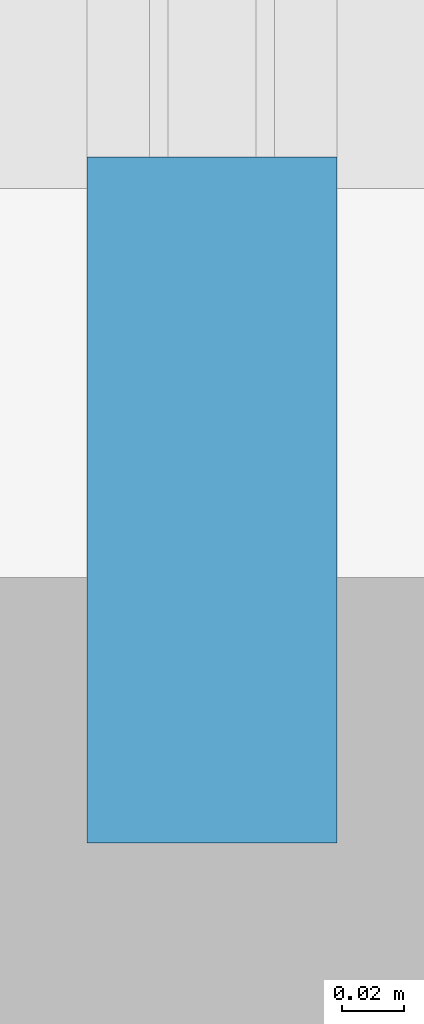
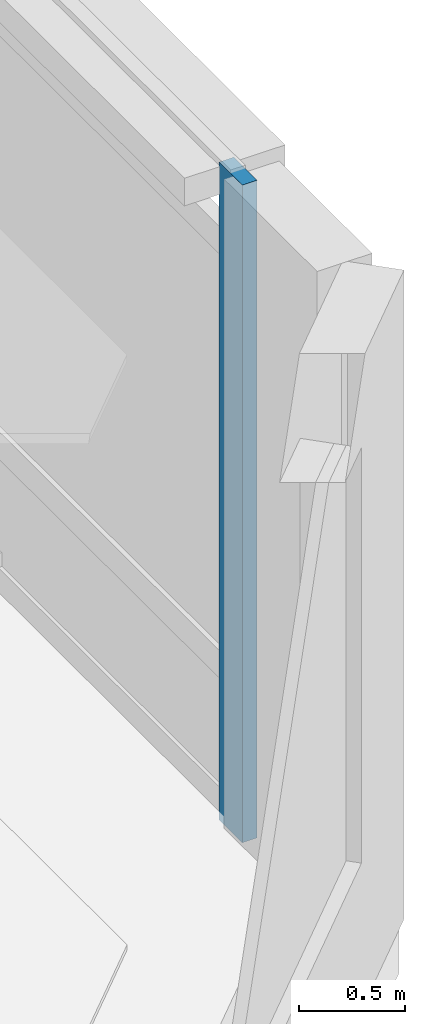
# One storey, part 3 of 12: 1 member, 1 element without a shape of its own.
"""IFC4 building model written with IfcOpenShell, lengths in metres."""

from ifc_helpers import new_model, si_unit, direction, frame, origin, origin_2d, place, context, subcontext, project, spatial, rectangle, extrude, source, transform, mapped, material, material_profile, profile_set, type_object, element, aggregate, save


model = new_model("IFC4")

# Units and contexts
model_context = context("Model", 3, precision=1e-05, world=origin(), true_north=direction((0.0, 1.0)))
body_context = subcontext(model_context, "Body", "Model", "MODEL_VIEW")
ifc_project = project(units=[si_unit("LENGTHUNIT", "METRE"), si_unit("AREAUNIT", "SQUARE_METRE"), si_unit("VOLUMEUNIT", "CUBIC_METRE"), si_unit("PLANEANGLEUNIT", "RADIAN"), si_unit("MASSUNIT", "GRAM", prefix="KILO")], contexts=[model_context])

# Site, building, storey
site_placement = place(None, origin())
site = spatial("IfcSite", under=ifc_project, at=site_placement, CompositionType="ELEMENT")
building_placement = place(site_placement, origin())
building = spatial("IfcBuilding", under=site, at=building_placement, Name="Calvemar Wedge Station Tower", CompositionType="ELEMENT")
storey_placement = place(building_placement, frame((0.0, 0.0, 39.0)))
storey = spatial("IfcBuildingStorey", under=building, at=storey_placement, Name="L09", CompositionType="ELEMENT", Elevation=39.0)

# Curtain wall, member
ifc_material = material(Name="Anodised aluminium 6063-T6", Category="aluminium")
curtain_wall_type = type_object("IfcCurtainWallType", Name="CW1", PredefinedType="NOTDEFINED", material=ifc_material)
curtain_wall_placement = place(storey_placement, origin())
curtain_wall = element("IfcCurtainWall", 1, at=curtain_wall_placement, inside=storey, type_object=curtain_wall_type, Name="Storey L09 CW1 Recessed Unitised Curtain Wall 8", PredefinedType="NOTDEFINED")
ifc_material_profile = material_profile(ifc_material, rectangle(XDim=0.080078125, YDim=0.219970703125, at=origin_2d()), Name="AL-MUL-80x220")
ifc_profile_set = profile_set([ifc_material_profile], Name="Anodised aluminium 6063-T6")
member_type = type_object("IfcMemberType", Name="CW1-MUL", PredefinedType="MULLION", material=ifc_profile_set)
shared_shape = source(origin(), body_context, "Body", "SweptSolid", [
    extrude(rectangle(XDim=0.080078125, YDim=0.219970703125, at=origin_2d()), origin(), (0.0, 0.0, 1.0), 3.800048828125),
])
member_placement = place(storey_placement, frame((60.7900390625, 33.6220703125, -0.050048828125), z_axis=(0.0, 0.0, 1.0), x_axis=(1.0, 0.0, 0.0)))
member = element("IfcMember", 2, at=member_placement, type_object=member_type, Name="CW1 mullion 1", PredefinedType="MULLION", context=body_context, shape_type="MappedRepresentation", body=[
    mapped(shared_shape, transform((0.0, 0.0, 0.0), scale=1.0)),
])
aggregate(curtain_wall, [member])

save(model, "model.ifc")
